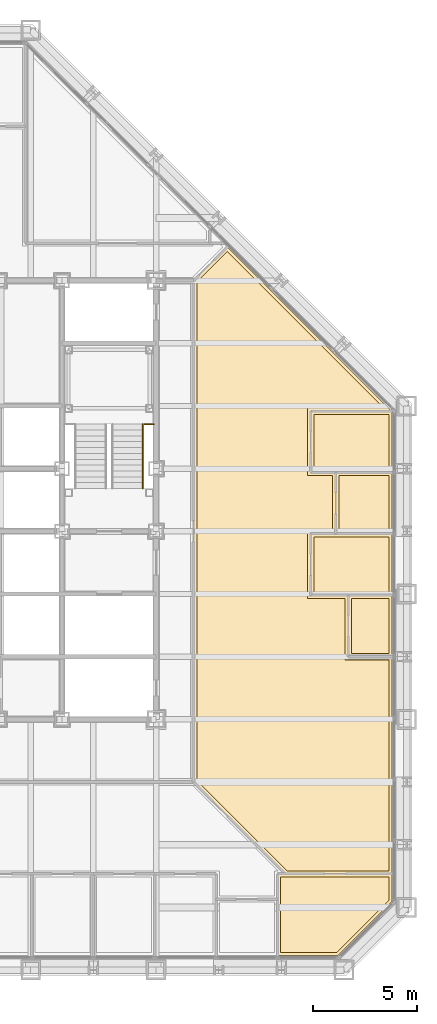
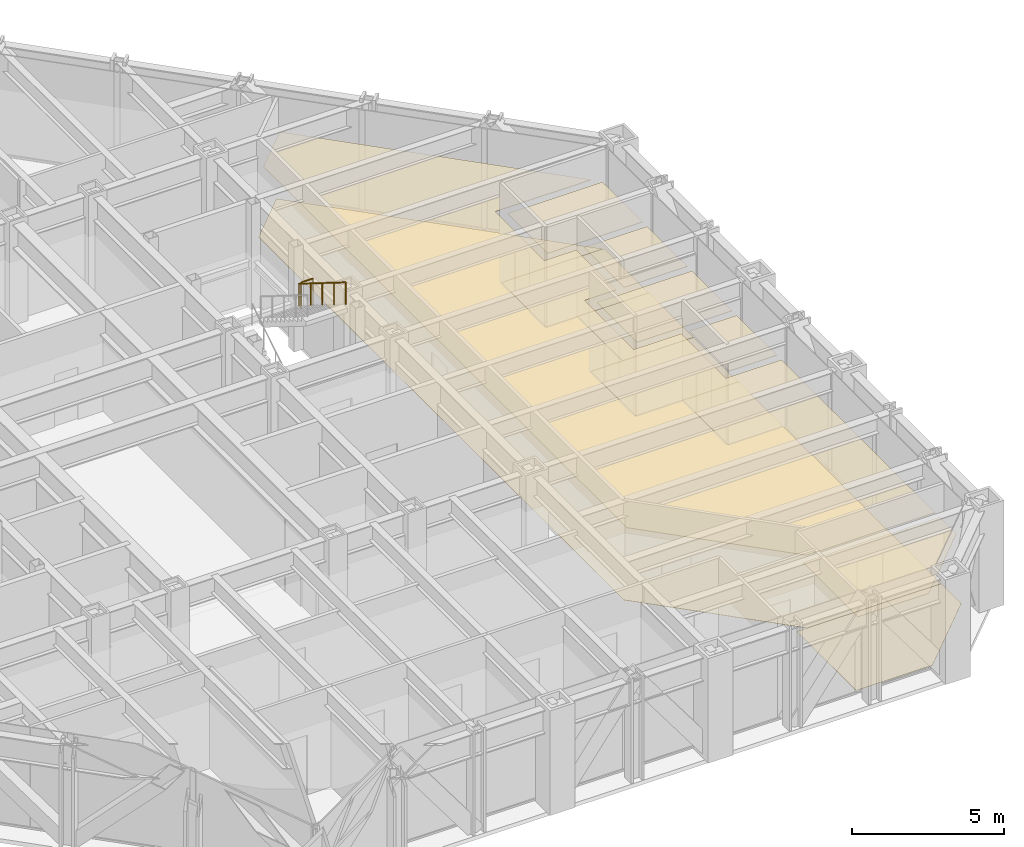
# One storey, part 16 of 17: 12 coverings, 2 railings.
"""IFC4 building model written with IfcOpenShell, lengths in metres."""

from ifc_helpers import new_model, si_unit, direction, frame, origin, origin_2d, place, context, subcontext, project, spatial, polyline, circle, outline, extrude, material, layer, layer_set, type_object, element, save


model = new_model("IFC4")

# Units and contexts
model_context = context("Model", 3, precision=1e-05, world=origin(), true_north=direction((0.0, 1.0)))
body_context = subcontext(model_context, "Body", "Model", "MODEL_VIEW")
ifc_project = project(units=[si_unit("LENGTHUNIT", "METRE"), si_unit("AREAUNIT", "SQUARE_METRE"), si_unit("VOLUMEUNIT", "CUBIC_METRE"), si_unit("PLANEANGLEUNIT", "RADIAN"), si_unit("MASSUNIT", "GRAM", prefix="KILO")], contexts=[model_context])

# Site, building, storey
site_placement = place(None, origin())
site = spatial("IfcSite", under=ifc_project, at=site_placement, CompositionType="ELEMENT")
building_placement = place(site_placement, origin())
building = spatial("IfcBuilding", under=site, at=building_placement, Name="Chuquiago Exchange Tower", CompositionType="ELEMENT")
storey_placement = place(building_placement, frame((0.0, 0.0, 136.199951171875)))
storey = spatial("IfcBuildingStorey", under=building, at=storey_placement, Name="L29", CompositionType="ELEMENT", Elevation=136.199951171875)

# Coverings
ifc_material_1 = material(Name="Mineral fibre tile, 600 x 600, on pale metal grid", Category="mineral fibre")
ifc_layer_1 = layer(ifc_material_1, 0.02001953125)
ifc_layer_set_1 = layer_set([ifc_layer_1], Name="CL1 suspended tile ceiling 20")
covering_type_1 = type_object("IfcCoveringType", Name="CL1 suspended tile ceiling 20", PredefinedType="CEILING", material=ifc_layer_set_1)
covering_1_placement = place(storey_placement, frame((0.0, 0.0, 2.800048828125)))
element("IfcCovering", 1, at=covering_1_placement, inside=storey, type_object=covering_type_1, Name="Ceiling Meeting room", PredefinedType="CEILING", context=body_context, shape_type="SweptSolid", body=[
    extrude(outline(polyline([(41.64794921875, 0.85009765625), (38.963623046875, 0.85009765625), (38.963623046875, 4.449951171875), (44.14990234375, 4.449951171875), (44.14990234375, 3.35205078125), (41.64794921875, 0.85009765625)])), origin(), (0.0, 0.0, 1.0), 0.02001953125),
])
covering_2_placement = place(storey_placement, frame((0.0, 0.0, 2.800048828125)))
element("IfcCovering", 2, at=covering_2_placement, inside=storey, type_object=covering_type_1, Name="Ceiling Focus room", PredefinedType="CEILING", context=body_context, shape_type="SweptSolid", body=[
    extrude(outline(polyline([(42.35009765625, 15.14990234375), (42.35009765625, 17.787841796875), (44.14990234375, 17.787841796875), (44.14990234375, 15.14990234375), (42.35009765625, 15.14990234375)])), origin(), (0.0, 0.0, 1.0), 0.02001953125),
])
covering_3_placement = place(storey_placement, frame((0.0, 0.0, 2.800048828125)))
element("IfcCovering", 3, at=covering_3_placement, inside=storey, type_object=covering_type_1, Name="Ceiling Office", PredefinedType="CEILING", context=body_context, shape_type="SweptSolid", body=[
    extrude(outline(polyline([(40.550048828125, 18.087890625), (40.550048828125, 20.7255859375), (44.14990234375, 20.7255859375), (44.14990234375, 18.087890625), (40.550048828125, 18.087890625)])), origin(), (0.0, 0.0, 1.0), 0.02001953125),
])
covering_4_placement = place(storey_placement, frame((0.0, 0.0, 2.800048828125)))
element("IfcCovering", 4, at=covering_4_placement, inside=storey, type_object=covering_type_1, Name="Ceiling Pantry", PredefinedType="CEILING", context=body_context, shape_type="SweptSolid", body=[
    extrude(outline(polyline([(41.75, 21.025634765625), (41.75, 23.66357421875), (44.14990234375, 23.66357421875), (44.14990234375, 21.025634765625), (41.75, 21.025634765625)])), origin(), (0.0, 0.0, 1.0), 0.02001953125),
])
covering_5_placement = place(storey_placement, frame((0.0, 0.0, 2.800048828125)))
element("IfcCovering", 5, at=covering_5_placement, inside=storey, type_object=covering_type_1, Name="Ceiling Office", PredefinedType="CEILING", context=body_context, shape_type="SweptSolid", body=[
    extrude(outline(polyline([(44.14990234375, 23.963623046875), (40.550048828125, 23.963623046875), (40.550048828125, 26.6015625), (44.14990234375, 26.6015625), (44.14990234375, 23.963623046875)])), origin(), (0.0, 0.0, 1.0), 0.02001953125),
])
covering_6_placement = place(storey_placement, frame((0.0, 0.0, 2.800048828125)))
element("IfcCovering", 6, at=covering_6_placement, inside=storey, type_object=covering_type_1, Name="Ceiling Open office east", PredefinedType="CEILING", context=body_context, shape_type="SweptSolid", body=[
    extrude(outline(polyline([(40.25, 26.901611328125), (40.25, 23.66357421875), (41.449951171875, 23.66357421875), (41.449951171875, 21.025634765625), (40.25, 21.025634765625), (40.25, 17.787841796875), (42.050048828125, 17.787841796875), (42.050048828125, 14.85009765625), (44.14990234375, 14.85009765625), (44.14990234375, 4.75), (39.2626953125, 4.75), (34.949951171875, 9.0625), (34.949951171875, 32.9375), (36.405517578125, 34.392578125), (43.896484375, 26.901611328125), (40.25, 26.901611328125)])), origin(), (0.0, 0.0, 1.0), 0.02001953125),
])
ifc_material_2 = material(Name="Carpet tile, 500 x 500, on the floor slab", Category="textile")
ifc_layer_2 = layer(ifc_material_2, 0.010009765625)
ifc_layer_set_2 = layer_set([ifc_layer_2], Name="FL1 carpet tile 10")
covering_type_2 = type_object("IfcCoveringType", Name="FL1 carpet tile 10", PredefinedType="FLOORING", material=ifc_layer_set_2)
covering_7_placement = place(storey_placement, origin())
element("IfcCovering", 7, at=covering_7_placement, inside=storey, type_object=covering_type_2, Name="Floor finish Meeting room", PredefinedType="FLOORING", context=body_context, shape_type="SweptSolid", body=[
    extrude(outline(polyline([(44.300048828125, 3.289794921875), (41.710205078125, 0.699951171875), (38.813720703125, 0.699951171875), (38.813720703125, 4.60009765625), (44.300048828125, 4.60009765625), (44.300048828125, 3.289794921875)])), origin(), (0.0, 0.0, 1.0), 0.010009765625),
])
covering_8_placement = place(storey_placement, origin())
element("IfcCovering", 8, at=covering_8_placement, inside=storey, type_object=covering_type_2, Name="Floor finish Focus room", PredefinedType="FLOORING", context=body_context, shape_type="SweptSolid", body=[
    extrude(outline(polyline([(44.300048828125, 15.0), (42.199951171875, 15.0), (42.199951171875, 17.93798828125), (44.300048828125, 17.93798828125), (44.300048828125, 15.0)])), origin(), (0.0, 0.0, 1.0), 0.010009765625),
])
covering_9_placement = place(storey_placement, origin())
element("IfcCovering", 9, at=covering_9_placement, inside=storey, type_object=covering_type_2, Name="Floor finish Office", PredefinedType="FLOORING", context=body_context, shape_type="SweptSolid", body=[
    extrude(outline(polyline([(44.300048828125, 17.93798828125), (40.39990234375, 17.93798828125), (40.39990234375, 20.875732421875), (44.300048828125, 20.875732421875), (44.300048828125, 17.93798828125)])), origin(), (0.0, 0.0, 1.0), 0.010009765625),
])
covering_10_placement = place(storey_placement, origin())
element("IfcCovering", 10, at=covering_10_placement, inside=storey, type_object=covering_type_2, Name="Floor finish Office", PredefinedType="FLOORING", context=body_context, shape_type="SweptSolid", body=[
    extrude(outline(polyline([(44.300048828125, 26.710205078125), (44.300048828125, 23.813720703125), (40.39990234375, 23.813720703125), (40.39990234375, 26.75146484375), (44.258544921875, 26.75146484375), (44.300048828125, 26.710205078125)])), origin(), (0.0, 0.0, 1.0), 0.010009765625),
])
covering_11_placement = place(storey_placement, origin())
element("IfcCovering", 11, at=covering_11_placement, inside=storey, type_object=covering_type_2, Name="Floor finish Open office east", PredefinedType="FLOORING", context=body_context, shape_type="SweptSolid", body=[
    extrude(outline(polyline([(44.258544921875, 26.75146484375), (40.39990234375, 26.75146484375), (40.39990234375, 23.813720703125), (41.60009765625, 23.813720703125), (41.60009765625, 20.875732421875), (40.39990234375, 20.875732421875), (40.39990234375, 17.93798828125), (42.199951171875, 17.93798828125), (42.199951171875, 15.0), (44.300048828125, 15.0), (44.300048828125, 4.60009765625), (39.20068359375, 4.60009765625), (34.800048828125, 9.00048828125), (34.800048828125, 32.99951171875), (36.405517578125, 34.604736328125), (44.258544921875, 26.75146484375)])), origin(), (0.0, 0.0, 1.0), 0.010009765625),
])
ifc_material_3 = material(Name="Porcelain floor tile, 600 x 600, on adhesive bed", Category="ceramic")
ifc_layer_3 = layer(ifc_material_3, 0.014892578125)
ifc_layer_set_3 = layer_set([ifc_layer_3], Name="FL2 porcelain tile 15")
covering_type_3 = type_object("IfcCoveringType", Name="FL2 porcelain tile 15", PredefinedType="FLOORING", material=ifc_layer_set_3)
covering_12_placement = place(storey_placement, origin())
element("IfcCovering", 12, at=covering_12_placement, inside=storey, type_object=covering_type_3, Name="Floor finish Pantry", PredefinedType="FLOORING", context=body_context, shape_type="SweptSolid", body=[
    extrude(outline(polyline([(44.300048828125, 20.875732421875), (41.60009765625, 20.875732421875), (41.60009765625, 23.813720703125), (44.300048828125, 23.813720703125), (44.300048828125, 20.875732421875)])), origin(), (0.0, 0.0, 1.0), 0.01513671875),
])

# Railings
ifc_material_4 = material(Name="Pale metal guard with safety glass infill", Category="glass")
railing_type_1 = type_object("IfcRailingType", Name="GR1 guard 1100", PredefinedType="GUARDRAIL", material=ifc_material_4)
railing_1_placement = place(storey_placement, frame((32.445068359375, 26.1298828125, 2.10009765625)))
element("IfcRailing", 13, at=railing_1_placement, inside=storey, type_object=railing_type_1, Name="Guard ST2 L29 landing 2", PredefinedType="GUARDRAIL", context=body_context, shape_type="SweptSolid", body=[
    extrude(circle(Radius=0.02392578125, at=origin_2d()), frame((0.0, 0.0, 1.076171875), z_axis=(1.0, 0.0, 0.0), x_axis=(0.0, 1.0, 0.0)), (0.0, 0.0, 1.0), 0.454833984375),
    extrude(circle(Radius=0.02099609375, at=origin_2d()), origin(), (0.0, 0.0, 1.0), 1.052001953125),
    extrude(circle(Radius=0.02099609375, at=origin_2d()), frame((0.454833984375, 0.0, 0.0)), (0.0, 0.0, 1.0), 1.052001953125),
])
ifc_material_5 = material(Name="Pale metal handrail", Category="steel")
railing_type_2 = type_object("IfcRailingType", Name="HR1 handrail 900", PredefinedType="HANDRAIL", material=ifc_material_5)
railing_2_placement = place(storey_placement, frame((32.364990234375, 26.1298828125, 2.275146484375)))
element("IfcRailing", 14, at=railing_2_placement, inside=storey, type_object=railing_type_2, Name="Handrail ST2 L29 flight 2", PredefinedType="HANDRAIL", context=body_context, shape_type="SweptSolid", body=[
    extrude(circle(Radius=0.02392578125, at=origin_2d()), frame((0.0, 0.0, 0.8759765625), z_axis=(0.0, -0.848009633417, 0.529980812513), x_axis=(1.0, 0.0, 0.0)), (0.0, 0.0, 1.0), 3.6318359375),
    extrude(circle(Radius=0.02099609375, at=origin_2d()), origin(), (0.0, 0.0, 1.0), 0.851806640625),
    extrude(circle(Radius=0.02099609375, at=origin_2d()), frame((0.0, -0.77001953125, 0.481201171875)), (0.0, 0.0, 1.0), 0.851806640625),
    extrude(circle(Radius=0.02099609375, at=origin_2d()), frame((0.0, -1.5400390625, 0.96240234375)), (0.0, 0.0, 1.0), 0.851806640625),
    extrude(circle(Radius=0.02099609375, at=origin_2d()), frame((0.0, -2.309814453125, 1.443603515625)), (0.0, 0.0, 1.0), 0.851806640625),
    extrude(circle(Radius=0.02099609375, at=origin_2d()), frame((0.0, -3.079833984375, 1.9248046875)), (0.0, 0.0, 1.0), 0.851806640625),
])

save(model, "model.ifc")
